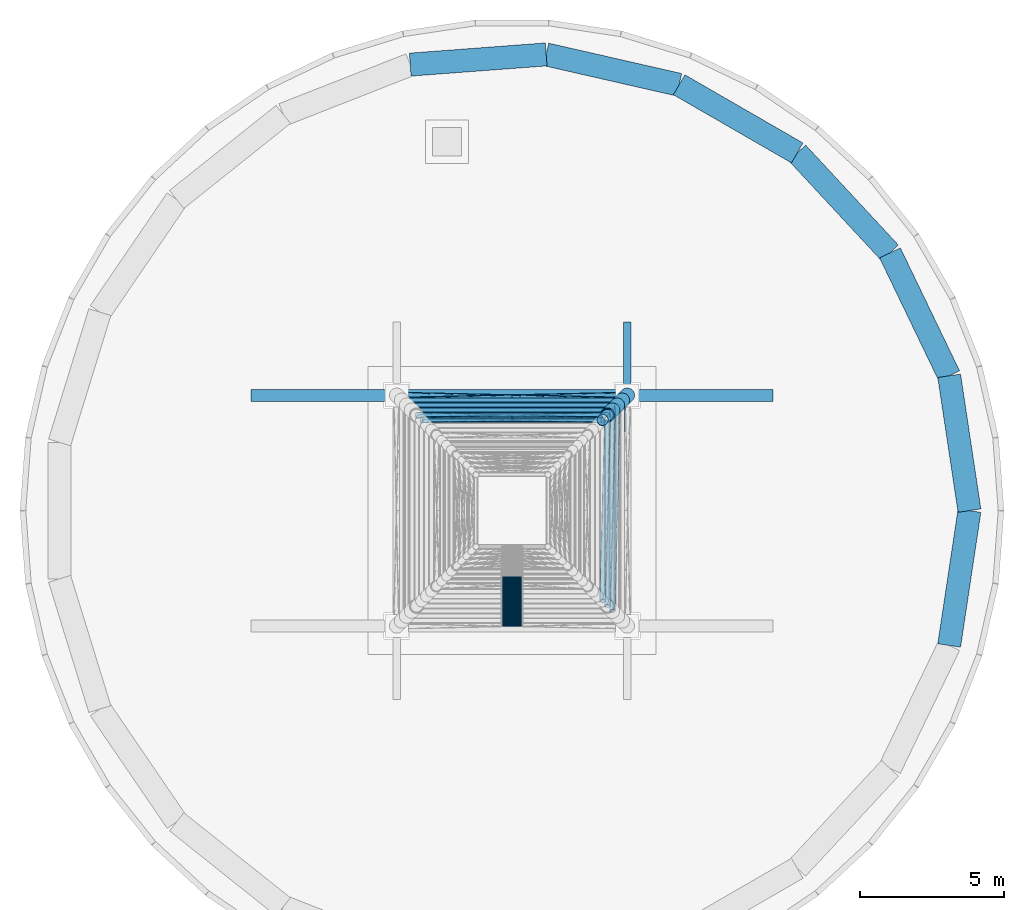
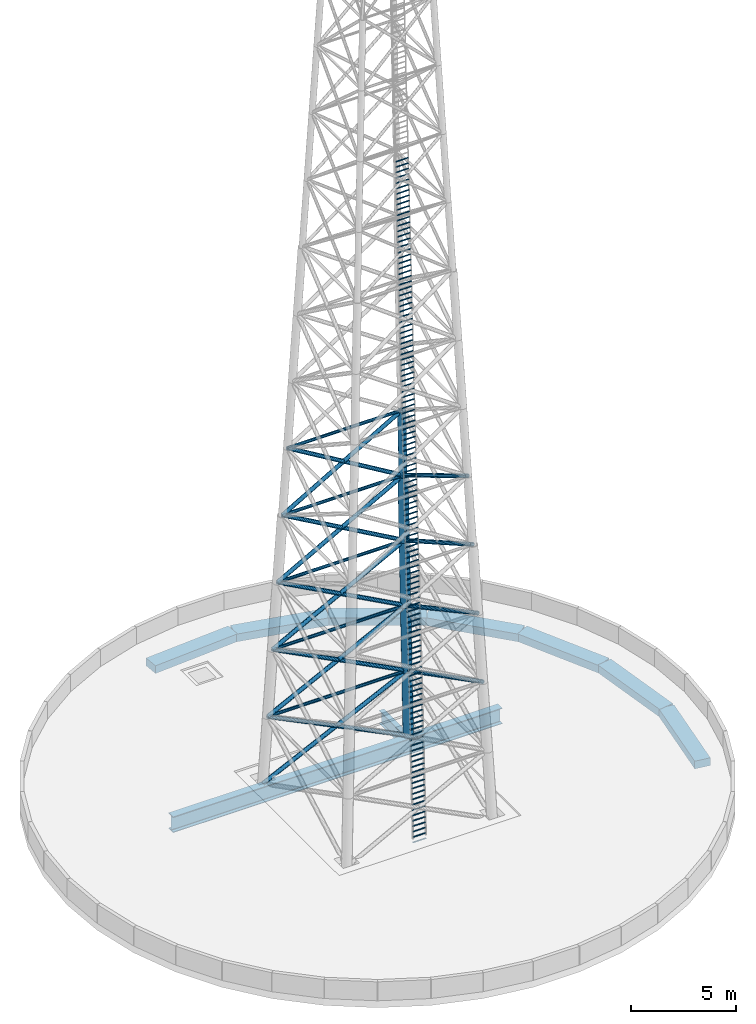
# One storey, part 6 of 9: 152 members, 9 beams.
"""IFC4 building model written with IfcOpenShell, lengths in metres."""

from ifc_helpers import new_model, si_unit, direction, frame, origin, origin_2d, place, context, subcontext, project, spatial, rectangle, hollow_circle, i_section, extrude, material, material_profile, profile_set, type_object, element, save


model = new_model("IFC4")

# Units and contexts
model_context = context("Model", 3, precision=1e-05, world=origin(), true_north=direction((0.0, 1.0)))
body_context = subcontext(model_context, "Body", "Model", "MODEL_VIEW")
ifc_project = project(units=[si_unit("LENGTHUNIT", "METRE"), si_unit("AREAUNIT", "SQUARE_METRE"), si_unit("VOLUMEUNIT", "CUBIC_METRE"), si_unit("PLANEANGLEUNIT", "RADIAN"), si_unit("MASSUNIT", "GRAM", prefix="KILO")], contexts=[model_context])

# Site, building, storey
site_placement = place(None, origin())
site = spatial("IfcSite", under=ifc_project, at=site_placement, CompositionType="ELEMENT")
building_placement = place(site_placement, origin())
building = spatial("IfcBuilding", under=site, at=building_placement, Name="Tracery Tower", CompositionType="ELEMENT")
storey_placement = place(building_placement, frame((0.0, 0.0, 364.199951171875)))
storey = spatial("IfcBuildingStorey", under=building, at=storey_placement, Name="Roof", CompositionType="ELEMENT", Elevation=364.199951171875)

# Members
ifc_material_1 = material(Name="Steel S355", Category="steel")
ifc_material_profile_1 = material_profile(ifc_material_1, hollow_circle(Radius=0.109619140625, WallThickness=0.010009765625, at=origin_2d()), Name="CHS 219.1x10")
ifc_profile_set_1 = profile_set([ifc_material_profile_1], Name="Steel S355")
member_type_1 = type_object("IfcMemberType", Name="Mast diagonal MAST CHS 219.1x10", PredefinedType="BRACE", material=ifc_profile_set_1)
for number, where, z_axis, x_axis, name in (
    (1, (4.0, 4.0, -0.349853515625), (-0.892847479676, -0.019603437678, 0.44993230965), (0.021950797554, -0.999759052215, 0.0), "Mast north face diagonal 1a"),
    (2, (-4.0, 4.0, -0.349853515625), (0.892847479676, -0.019603437678, 0.44993230965), (0.021950797554, 0.999759052215, 0.0), "Mast north face diagonal 1b"),
):
    element("IfcMember", number, at=place(storey_placement, frame(where, z_axis=z_axis, x_axis=x_axis)), inside=storey, type_object=member_type_1, Name=name, PredefinedType="BRACE", context=body_context, shape_type="SweptSolid", body=[
        extrude(hollow_circle(Radius=0.109619140625, WallThickness=0.010009765625, at=origin_2d()), origin(), (0.0, 0.0, 1.0), 8.767578125),
    ])
for number, where, z_axis, x_axis, name in (
    (3, (3.828125, 3.828125, 3.594970703125), (-0.020310891396, -0.884446998079, 0.466198429083), (0.999736419902, -0.022958456407, 0.0), "Mast east face diagonal 2b"),
    (4, (3.828125, 3.828125, 3.594970703125), (-0.884446998079, -0.020310891396, 0.466198429083), (0.022958456407, -0.999736419902, 0.0), "Mast north face diagonal 2a"),
    (5, (-3.828125, 3.828125, 3.594970703125), (0.884446998079, -0.020310891396, 0.466198429083), (0.022958456407, 0.999736419902, 0.0), "Mast north face diagonal 2b"),
):
    element("IfcMember", number, at=place(storey_placement, frame(where, z_axis=z_axis, x_axis=x_axis)), inside=storey, type_object=member_type_1, Name=name, PredefinedType="BRACE", context=body_context, shape_type="SweptSolid", body=[
        extrude(hollow_circle(Radius=0.109619140625, WallThickness=0.010009765625, at=origin_2d()), origin(), (0.0, 0.0, 1.0), 8.462158203125),
    ])
for number, where, z_axis, x_axis, name in (
    (6, (3.65625, 3.65625, 7.5400390625), (-0.02106374057, -0.875102676395, 0.483478670263), (0.999710442837, -0.024063052235, 0.0), "Mast east face diagonal 3b"),
    (7, (3.65625, 3.65625, 7.5400390625), (-0.875102676395, -0.02106374057, 0.483478670263), (0.024063052235, -0.999710442837, 0.0), "Mast north face diagonal 3a"),
    (8, (-3.65625, 3.65625, 7.5400390625), (0.875102676395, -0.02106374057, 0.483478670263), (0.024063052235, 0.999710442837, 0.0), "Mast north face diagonal 3b"),
):
    element("IfcMember", number, at=place(storey_placement, frame(where, z_axis=z_axis, x_axis=x_axis)), inside=storey, type_object=member_type_1, Name=name, PredefinedType="BRACE", context=body_context, shape_type="SweptSolid", body=[
        extrude(hollow_circle(Radius=0.109619140625, WallThickness=0.010009765625, at=origin_2d()), origin(), (0.0, 0.0, 1.0), 8.15966796875),
    ])
for number, where, z_axis, x_axis, name in (
    (9, (3.484375, 3.484375, 11.485107421875), (-0.021865440004, -0.864678763798, 0.50184911873), (0.99968042806, -0.025279275192, 0.0), "Mast east face diagonal 4b"),
    (10, (3.484375, 3.484375, 11.485107421875), (-0.864678763798, -0.021865440004, 0.50184911873), (0.025279275192, -0.99968042806, 0.0), "Mast north face diagonal 4a"),
    (11, (-3.484375, 3.484375, 11.485107421875), (0.864678763798, -0.021865440004, 0.50184911873), (0.025279275192, 0.99968042806, 0.0), "Mast north face diagonal 4b"),
):
    element("IfcMember", number, at=place(storey_placement, frame(where, z_axis=z_axis, x_axis=x_axis)), inside=storey, type_object=member_type_1, Name=name, PredefinedType="BRACE", context=body_context, shape_type="SweptSolid", body=[
        extrude(hollow_circle(Radius=0.109619140625, WallThickness=0.010009765625, at=origin_2d()), origin(), (0.0, 0.0, 1.0), 7.860595703125),
    ])
for number, where, z_axis, x_axis, name in (
    (12, (3.3125, 3.3125, 15.429931640625), (-0.022718431719, -0.85297384544, 0.521459003044), (0.999645493434, -0.026624940503, 0.0), "Mast east face diagonal 5b"),
    (13, (3.3125, 3.3125, 15.429931640625), (-0.85297384544, -0.022718431719, 0.521459003044), (0.026624940503, -0.999645493434, 0.0), "Mast north face diagonal 5a"),
    (14, (-3.3125, 3.3125, 15.429931640625), (0.85297384544, -0.022718431719, 0.521459003044), (0.026624940503, 0.999645493434, 0.0), "Mast north face diagonal 5b"),
):
    element("IfcMember", number, at=place(storey_placement, frame(where, z_axis=z_axis, x_axis=x_axis)), inside=storey, type_object=member_type_1, Name=name, PredefinedType="BRACE", context=body_context, shape_type="SweptSolid", body=[
        extrude(hollow_circle(Radius=0.109619140625, WallThickness=0.010009765625, at=origin_2d()), origin(), (0.0, 0.0, 1.0), 7.5654296875),
    ])

# Beams
ifc_material_2 = material(Name="Steel S355", Category="steel")
ifc_material_profile_2 = material_profile(ifc_material_2, i_section(OverallWidth=0.26513671875, OverallDepth=0.75390625, WebThickness=0.0126953125, FlangeThickness=0.017578125, FilletRadius=0.0166015625, at=origin_2d()), Name="UKB 762x267x147")
ifc_profile_set_2 = profile_set([ifc_material_profile_2], Name="Steel S355")
beam_type_1 = type_object("IfcBeamType", Name="Mast grillage cross girder MAST UKB 762x267x147", PredefinedType="BEAM", material=ifc_profile_set_2)
beam_1_placement = place(storey_placement, frame((4.0, 4.160400390625, -0.77685546875), z_axis=(0.0, 1.0, 0.0), x_axis=(-1.0, 0.0, 0.0)))
element("IfcBeam", 15, at=beam_1_placement, inside=storey, type_object=beam_type_1, Name="Mast grillage cross girder 2.3", PredefinedType="BEAM", context=body_context, shape_type="SweptSolid", body=[
    extrude(i_section(OverallWidth=0.26513671875, OverallDepth=0.75390625, WebThickness=0.0126953125, FlangeThickness=0.017578125, FilletRadius=0.0166015625, at=origin_2d()), origin(), (0.0, 0.0, 1.0), 2.3896484375),
])
ifc_material_3 = material(Name="Steel S355", Category="steel")
ifc_material_profile_3 = material_profile(ifc_material_3, i_section(OverallWidth=0.42041015625, OverallDepth=0.9208984375, WebThickness=0.021484375, FlangeThickness=0.03662109375, FilletRadius=0.024169921875, at=origin_2d()), Name="UKB 914x419x388")
ifc_profile_set_3 = profile_set([ifc_material_profile_3], Name="Steel S355")
beam_type_2 = type_object("IfcBeamType", Name="Mast grillage girder MAST UKB 914x419x388", PredefinedType="BEAM", material=ifc_profile_set_3)
beam_2_placement = place(storey_placement, frame((-9.050048828125, 4.0, -0.8603515625), z_axis=(1.0, 0.0, 0.0), x_axis=(0.0, 1.0, 0.0)))
element("IfcBeam", 16, at=beam_2_placement, inside=storey, type_object=beam_type_2, Name="Mast grillage girder 2", PredefinedType="BEAM", context=body_context, shape_type="SweptSolid", body=[
    extrude(i_section(OverallWidth=0.42041015625, OverallDepth=0.9208984375, WebThickness=0.021484375, FlangeThickness=0.03662109375, FilletRadius=0.024169921875, at=origin_2d()), origin(), (0.0, 0.0, 1.0), 18.10009765625),
])

# Members
ifc_material_4 = material(Name="Steel S355", Category="steel")
ifc_material_profile_4 = material_profile(ifc_material_4, hollow_circle(Radius=0.024169921875, WallThickness=0.00390625, at=origin_2d()), Name="CHS 48.3x4")
ifc_profile_set_4 = profile_set([ifc_material_profile_4], Name="Steel S355")
member_type_2 = type_object("IfcMemberType", Name="Mast ladder rung MAST CHS 48.3x4", PredefinedType="MEMBER", material=ifc_profile_set_4)
for number, where, z_axis, x_axis, name in (
    (17, (-0.35009765625, -3.993408203125, -0.1982421875), (1.0, 0.0, 0.0), (0.0, 1.0, 0.0), "Mast service ladder rung 1"),
    (18, (-0.35009765625, -3.980224609375, 0.105224609375), (1.0, 0.0, 0.0), (0.0, 1.0, 0.0), "Mast service ladder rung 2"),
    (19, (-0.35009765625, -3.966796875, 0.40869140625), (1.0, 0.0, 0.0), (0.0, 1.0, 0.0), "Mast service ladder rung 3"),
    (20, (-0.35009765625, -3.95361328125, 0.712158203125), (1.0, 0.0, 0.0), (0.0, 1.0, 0.0), "Mast service ladder rung 4"),
    (21, (-0.35009765625, -3.9404296875, 1.015625), (1.0, 0.0, 0.0), (0.0, 1.0, 0.0), "Mast service ladder rung 5"),
    (22, (-0.35009765625, -3.92724609375, 1.319091796875), (1.0, 0.0, 0.0), (0.0, 1.0, 0.0), "Mast service ladder rung 6"),
    (23, (-0.35009765625, -3.9140625, 1.62255859375), (1.0, 0.0, 0.0), (0.0, 1.0, 0.0), "Mast service ladder rung 7"),
    (24, (-0.35009765625, -3.90087890625, 1.926025390625), (1.0, 0.0, 0.0), (0.0, 1.0, 0.0), "Mast service ladder rung 8"),
    (25, (-0.35009765625, -3.8876953125, 2.2294921875), (1.0, 0.0, 0.0), (0.0, 1.0, 0.0), "Mast service ladder rung 9"),
    (26, (-0.35009765625, -3.87451171875, 2.532958984375), (1.0, 0.0, 0.0), (0.0, 1.0, 0.0), "Mast service ladder rung 10"),
    (27, (-0.35009765625, -3.861083984375, 2.83642578125), (1.0, 0.0, 0.0), (0.0, 1.0, 0.0), "Mast service ladder rung 11"),
    (28, (-0.35009765625, -3.847900390625, 3.139892578125), (1.0, 0.0, 0.0), (0.0, 1.0, 0.0), "Mast service ladder rung 12"),
    (29, (-0.35009765625, -3.834716796875, 3.443359375), (1.0, 0.0, 0.0), (0.0, 1.0, 0.0), "Mast service ladder rung 13"),
    (30, (-0.35009765625, -3.821533203125, 3.746826171875), (1.0, 0.0, 0.0), (0.0, 1.0, 0.0), "Mast service ladder rung 14"),
    (31, (-0.35009765625, -3.808349609375, 4.05029296875), (1.0, 0.0, 0.0), (0.0, 1.0, 0.0), "Mast service ladder rung 15"),
    (32, (-0.35009765625, -3.795166015625, 4.353759765625), (1.0, 0.0, 0.0), (0.0, 1.0, 0.0), "Mast service ladder rung 16"),
    (33, (-0.35009765625, -3.781982421875, 4.6572265625), (1.0, 0.0, 0.0), (0.0, 1.0, 0.0), "Mast service ladder rung 17"),
    (34, (-0.35009765625, -3.7685546875, 4.960693359375), (1.0, 0.0, 0.0), (0.0, 1.0, 0.0), "Mast service ladder rung 18"),
    (35, (-0.35009765625, -3.75537109375, 5.26416015625), (1.0, 0.0, 0.0), (0.0, 1.0, 0.0), "Mast service ladder rung 19"),
    (36, (-0.35009765625, -3.7421875, 5.567626953125), (1.0, 0.0, 0.0), (0.0, 1.0, 0.0), "Mast service ladder rung 20"),
    (37, (-0.35009765625, -3.72900390625, 5.87109375), (1.0, 0.0, 0.0), (0.0, 1.0, 0.0), "Mast service ladder rung 21"),
    (38, (-0.35009765625, -3.7158203125, 6.174560546875), (1.0, 0.0, 0.0), (0.0, 1.0, 0.0), "Mast service ladder rung 22"),
    (39, (-0.35009765625, -3.702392578125, 6.47802734375), (1.0, 0.0, 0.0), (0.0, 1.0, 0.0), "Mast service ladder rung 23"),
    (40, (-0.35009765625, -3.689208984375, 6.781494140625), (1.0, 0.0, 0.0), (0.0, 1.0, 0.0), "Mast service ladder rung 24"),
    (41, (-0.35009765625, -3.676025390625, 7.0849609375), (1.0, 0.0, 0.0), (0.0, 1.0, 0.0), "Mast service ladder rung 25"),
    (42, (-0.35009765625, -3.662841796875, 7.388427734375), (1.0, 0.0, 0.0), (0.0, 1.0, 0.0), "Mast service ladder rung 26"),
    (43, (-0.35009765625, -3.649658203125, 7.691650390625), (1.0, 0.0, 0.0), (0.0, 1.0, 0.0), "Mast service ladder rung 27"),
    (44, (-0.35009765625, -3.636474609375, 7.995361328125), (1.0, 0.0, 0.0), (0.0, 1.0, 0.0), "Mast service ladder rung 28"),
    (45, (-0.35009765625, -3.623291015625, 8.298828125), (1.0, 0.0, 0.0), (0.0, 1.0, 0.0), "Mast service ladder rung 29"),
    (46, (-0.35009765625, -3.610107421875, 8.60205078125), (1.0, 0.0, 0.0), (0.0, 1.0, 0.0), "Mast service ladder rung 30"),
    (47, (-0.35009765625, -3.5966796875, 8.90576171875), (1.0, 0.0, 0.0), (0.0, 1.0, 0.0), "Mast service ladder rung 31"),
    (48, (-0.35009765625, -3.58349609375, 9.209228515625), (1.0, 0.0, 0.0), (0.0, 1.0, 0.0), "Mast service ladder rung 32"),
    (49, (-0.35009765625, -3.5703125, 9.512451171875), (1.0, 0.0, 0.0), (0.0, 1.0, 0.0), "Mast service ladder rung 33"),
    (50, (-0.35009765625, -3.55712890625, 9.816162109375), (1.0, 0.0, 0.0), (0.0, 1.0, 0.0), "Mast service ladder rung 34"),
    (51, (-0.35009765625, -3.5439453125, 10.119384765625), (1.0, 0.0, 0.0), (0.0, 1.0, 0.0), "Mast service ladder rung 35"),
    (52, (-0.35009765625, -3.530517578125, 10.4228515625), (1.0, 0.0, 0.0), (0.0, 1.0, 0.0), "Mast service ladder rung 36"),
    (53, (-0.35009765625, -3.517333984375, 10.7265625), (1.0, 0.0, 0.0), (0.0, 1.0, 0.0), "Mast service ladder rung 37"),
    (54, (-0.35009765625, -3.504150390625, 11.02978515625), (1.0, 0.0, 0.0), (0.0, 1.0, 0.0), "Mast service ladder rung 38"),
    (55, (-0.35009765625, -3.490966796875, 11.333251953125), (1.0, 0.0, 0.0), (0.0, 1.0, 0.0), "Mast service ladder rung 39"),
    (56, (-0.35009765625, -3.477783203125, 11.636962890625), (1.0, 0.0, 0.0), (0.0, 1.0, 0.0), "Mast service ladder rung 40"),
    (57, (-0.35009765625, -3.464599609375, 11.940185546875), (1.0, 0.0, 0.0), (0.0, 1.0, 0.0), "Mast service ladder rung 41"),
    (58, (-0.35009765625, -3.451416015625, 12.24365234375), (1.0, 0.0, 0.0), (0.0, 1.0, 0.0), "Mast service ladder rung 42"),
    (59, (-0.35009765625, -3.43798828125, 12.547119140625), (1.0, 0.0, 0.0), (0.0, 1.0, 0.0), "Mast service ladder rung 43"),
    (60, (-0.35009765625, -3.4248046875, 12.8505859375), (1.0, 0.0, 0.0), (0.0, 1.0, 0.0), "Mast service ladder rung 44"),
    (61, (-0.35009765625, -3.41162109375, 13.154052734375), (1.0, 0.0, 0.0), (0.0, 1.0, 0.0), "Mast service ladder rung 45"),
    (62, (-0.35009765625, -3.3984375, 13.45751953125), (1.0, 0.0, 0.0), (0.0, 1.0, 0.0), "Mast service ladder rung 46"),
    (63, (-0.35009765625, -3.38525390625, 13.760986328125), (1.0, 0.0, 0.0), (0.0, 1.0, 0.0), "Mast service ladder rung 47"),
    (64, (-0.35009765625, -3.3720703125, 14.064453125), (1.0, 0.0, 0.0), (0.0, 1.0, 0.0), "Mast service ladder rung 48"),
    (65, (-0.35009765625, -3.35888671875, 14.367919921875), (1.0, 0.0, 0.0), (0.0, 1.0, 0.0), "Mast service ladder rung 49"),
    (66, (-0.35009765625, -3.345703125, 14.67138671875), (1.0, 0.0, 0.0), (0.0, 1.0, 0.0), "Mast service ladder rung 50"),
    (67, (-0.35009765625, -3.332275390625, 14.974853515625), (1.0, 0.0, 0.0), (0.0, 1.0, 0.0), "Mast service ladder rung 51"),
    (68, (-0.35009765625, -3.319091796875, 15.2783203125), (1.0, 0.0, 0.0), (0.0, 1.0, 0.0), "Mast service ladder rung 52"),
    (69, (-0.35009765625, -3.305908203125, 15.581787109375), (1.0, 0.0, 0.0), (0.0, 1.0, 0.0), "Mast service ladder rung 53"),
    (70, (-0.35009765625, -3.292724609375, 15.88525390625), (1.0, 0.0, 0.0), (0.0, 1.0, 0.0), "Mast service ladder rung 54"),
    (71, (-0.35009765625, -3.279296875, 16.188720703125), (1.0, 0.0, 0.0), (0.0, 1.0, 0.0), "Mast service ladder rung 55"),
    (72, (-0.35009765625, -3.26611328125, 16.4921875), (1.0, 0.0, 0.0), (0.0, 1.0, 0.0), "Mast service ladder rung 56"),
    (73, (-0.35009765625, -3.2529296875, 16.795654296875), (1.0, 0.0, 0.0), (0.0, 1.0, 0.0), "Mast service ladder rung 57"),
    (74, (-0.35009765625, -3.23974609375, 17.09912109375), (1.0, 0.0, 0.0), (0.0, 1.0, 0.0), "Mast service ladder rung 58"),
    (75, (-0.35009765625, -3.2265625, 17.402587890625), (1.0, 0.0, 0.0), (0.0, 1.0, 0.0), "Mast service ladder rung 59"),
    (76, (-0.35009765625, -3.21337890625, 17.7060546875), (1.0, 0.0, 0.0), (0.0, 1.0, 0.0), "Mast service ladder rung 60"),
    (77, (-0.35009765625, -3.2001953125, 18.009521484375), (1.0, 0.0, 0.0), (0.0, 1.0, 0.0), "Mast service ladder rung 61"),
    (78, (-0.35009765625, -3.18701171875, 18.31298828125), (1.0, 0.0, 0.0), (0.0, 1.0, 0.0), "Mast service ladder rung 62"),
    (79, (-0.35009765625, -3.173583984375, 18.616455078125), (1.0, 0.0, 0.0), (0.0, 1.0, 0.0), "Mast service ladder rung 63"),
    (80, (-0.35009765625, -3.160400390625, 18.919921875), (1.0, 0.0, 0.0), (0.0, 1.0, 0.0), "Mast service ladder rung 64"),
    (81, (-0.35009765625, -3.147216796875, 19.223388671875), (1.0, 0.0, 0.0), (0.0, 1.0, 0.0), "Mast service ladder rung 65"),
    (82, (-0.35009765625, -3.134033203125, 19.52685546875), (1.0, 0.0, 0.0), (0.0, 1.0, 0.0), "Mast service ladder rung 66"),
    (83, (-0.35009765625, -3.120849609375, 19.830322265625), (1.0, 0.0, 0.0), (0.0, 1.0, 0.0), "Mast service ladder rung 67"),
    (84, (-0.35009765625, -3.107666015625, 20.1337890625), (1.0, 0.0, 0.0), (0.0, 1.0, 0.0), "Mast service ladder rung 68"),
    (85, (-0.35009765625, -3.094482421875, 20.437255859375), (1.0, 0.0, 0.0), (0.0, 1.0, 0.0), "Mast service ladder rung 69"),
    (86, (-0.35009765625, -3.0810546875, 20.74072265625), (1.0, 0.0, 0.0), (0.0, 1.0, 0.0), "Mast service ladder rung 70"),
    (87, (-0.35009765625, -3.06787109375, 21.044189453125), (1.0, 0.0, 0.0), (0.0, 1.0, 0.0), "Mast service ladder rung 71"),
    (88, (-0.35009765625, -3.0546875, 21.34765625), (1.0, 0.0, 0.0), (0.0, 1.0, 0.0), "Mast service ladder rung 72"),
    (89, (-0.35009765625, -3.04150390625, 21.651123046875), (1.0, 0.0, 0.0), (0.0, 1.0, 0.0), "Mast service ladder rung 73"),
    (90, (-0.35009765625, -3.0283203125, 21.95458984375), (1.0, 0.0, 0.0), (0.0, 1.0, 0.0), "Mast service ladder rung 74"),
    (91, (-0.35009765625, -3.014892578125, 22.258056640625), (1.0, 0.0, 0.0), (0.0, 1.0, 0.0), "Mast service ladder rung 75"),
    (92, (-0.35009765625, -3.001708984375, 22.5615234375), (1.0, 0.0, 0.0), (0.0, 1.0, 0.0), "Mast service ladder rung 76"),
    (93, (-0.35009765625, -2.988525390625, 22.864990234375), (1.0, 0.0, 0.0), (0.0, 1.0, 0.0), "Mast service ladder rung 77"),
    (94, (-0.35009765625, -2.975341796875, 23.16845703125), (1.0, 0.0, 0.0), (0.0, 1.0, 0.0), "Mast service ladder rung 78"),
    (95, (-0.35009765625, -2.962158203125, 23.471923828125), (1.0, 0.0, 0.0), (0.0, 1.0, 0.0), "Mast service ladder rung 79"),
    (96, (-0.35009765625, -2.948974609375, 23.775146484375), (1.0, 0.0, 0.0), (0.0, 1.0, 0.0), "Mast service ladder rung 80"),
    (97, (-0.35009765625, -2.935791015625, 24.078857421875), (1.0, 0.0, 0.0), (0.0, 1.0, 0.0), "Mast service ladder rung 81"),
    (98, (-0.35009765625, -2.922607421875, 24.38232421875), (1.0, 0.0, 0.0), (0.0, 1.0, 0.0), "Mast service ladder rung 82"),
    (99, (-0.35009765625, -2.9091796875, 24.685546875), (1.0, 0.0, 0.0), (0.0, 1.0, 0.0), "Mast service ladder rung 83"),
    (100, (-0.35009765625, -2.89599609375, 24.9892578125), (1.0, 0.0, 0.0), (0.0, 1.0, 0.0), "Mast service ladder rung 84"),
    (101, (-0.35009765625, -2.8828125, 25.292724609375), (1.0, 0.0, 0.0), (0.0, 1.0, 0.0), "Mast service ladder rung 85"),
    (102, (-0.35009765625, -2.86962890625, 25.595947265625), (1.0, 0.0, 0.0), (0.0, 1.0, 0.0), "Mast service ladder rung 86"),
    (103, (-0.35009765625, -2.8564453125, 25.899658203125), (1.0, 0.0, 0.0), (0.0, 1.0, 0.0), "Mast service ladder rung 87"),
    (104, (-0.35009765625, -2.843017578125, 26.202880859375), (1.0, 0.0, 0.0), (0.0, 1.0, 0.0), "Mast service ladder rung 88"),
    (105, (-0.35009765625, -2.829833984375, 26.50634765625), (1.0, 0.0, 0.0), (0.0, 1.0, 0.0), "Mast service ladder rung 89"),
    (106, (-0.35009765625, -2.816650390625, 26.81005859375), (1.0, 0.0, 0.0), (0.0, 1.0, 0.0), "Mast service ladder rung 90"),
    (107, (-0.35009765625, -2.803466796875, 27.11328125), (1.0, 0.0, 0.0), (0.0, 1.0, 0.0), "Mast service ladder rung 91"),
    (108, (-0.35009765625, -2.790283203125, 27.416748046875), (1.0, 0.0, 0.0), (0.0, 1.0, 0.0), "Mast service ladder rung 92"),
    (109, (-0.35009765625, -2.777099609375, 27.720458984375), (1.0, 0.0, 0.0), (0.0, 1.0, 0.0), "Mast service ladder rung 93"),
    (110, (-0.35009765625, -2.763916015625, 28.023681640625), (1.0, 0.0, 0.0), (0.0, 1.0, 0.0), "Mast service ladder rung 94"),
    (111, (-0.35009765625, -2.75048828125, 28.3271484375), (1.0, 0.0, 0.0), (0.0, 1.0, 0.0), "Mast service ladder rung 95"),
    (112, (-0.35009765625, -2.7373046875, 28.630615234375), (1.0, 0.0, 0.0), (0.0, 1.0, 0.0), "Mast service ladder rung 96"),
    (113, (-0.35009765625, -2.72412109375, 28.93408203125), (1.0, 0.0, 0.0), (0.0, 1.0, 0.0), "Mast service ladder rung 97"),
    (114, (-0.35009765625, -2.7109375, 29.237548828125), (1.0, 0.0, 0.0), (0.0, 1.0, 0.0), "Mast service ladder rung 98"),
    (115, (-0.35009765625, -2.69775390625, 29.541015625), (1.0, 0.0, 0.0), (0.0, 1.0, 0.0), "Mast service ladder rung 99"),
    (116, (-0.35009765625, -2.6845703125, 29.844482421875), (1.0, 0.0, 0.0), (0.0, 1.0, 0.0), "Mast service ladder rung 100"),
    (117, (-0.35009765625, -2.67138671875, 30.14794921875), (1.0, 0.0, 0.0), (0.0, 1.0, 0.0), "Mast service ladder rung 101"),
    (118, (-0.35009765625, -2.658203125, 30.451416015625), (1.0, 0.0, 0.0), (0.0, 1.0, 0.0), "Mast service ladder rung 102"),
    (119, (-0.35009765625, -2.644775390625, 30.7548828125), (1.0, 0.0, 0.0), (0.0, 1.0, 0.0), "Mast service ladder rung 103"),
    (120, (-0.35009765625, -2.631591796875, 31.058349609375), (1.0, 0.0, 0.0), (0.0, 1.0, 0.0), "Mast service ladder rung 104"),
    (121, (-0.35009765625, -2.618408203125, 31.36181640625), (1.0, 0.0, 0.0), (0.0, 1.0, 0.0), "Mast service ladder rung 105"),
    (122, (-0.35009765625, -2.605224609375, 31.665283203125), (1.0, 0.0, 0.0), (0.0, 1.0, 0.0), "Mast service ladder rung 106"),
    (123, (-0.35009765625, -2.591796875, 31.96875), (1.0, 0.0, 0.0), (0.0, 1.0, 0.0), "Mast service ladder rung 107"),
    (124, (-0.35009765625, -2.57861328125, 32.272216796875), (1.0, 0.0, 0.0), (0.0, 1.0, 0.0), "Mast service ladder rung 108"),
    (125, (-0.35009765625, -2.5654296875, 32.57568359375), (1.0, 0.0, 0.0), (0.0, 1.0, 0.0), "Mast service ladder rung 109"),
    (126, (-0.35009765625, -2.55224609375, 32.879150390625), (1.0, 0.0, 0.0), (0.0, 1.0, 0.0), "Mast service ladder rung 110"),
    (127, (-0.35009765625, -2.5390625, 33.1826171875), (1.0, 0.0, 0.0), (0.0, 1.0, 0.0), "Mast service ladder rung 111"),
    (128, (-0.35009765625, -2.52587890625, 33.486083984375), (1.0, 0.0, 0.0), (0.0, 1.0, 0.0), "Mast service ladder rung 112"),
    (129, (-0.35009765625, -2.5126953125, 33.78955078125), (1.0, 0.0, 0.0), (0.0, 1.0, 0.0), "Mast service ladder rung 113"),
    (130, (-0.35009765625, -2.49951171875, 34.093017578125), (1.0, 0.0, 0.0), (0.0, 1.0, 0.0), "Mast service ladder rung 114"),
    (131, (-0.35009765625, -2.486083984375, 34.396484375), (1.0, 0.0, 0.0), (0.0, 1.0, 0.0), "Mast service ladder rung 115"),
    (132, (-0.35009765625, -2.472900390625, 34.699951171875), (1.0, 0.0, 0.0), (0.0, 1.0, 0.0), "Mast service ladder rung 116"),
    (133, (-0.35009765625, -2.459716796875, 35.00341796875), (1.0, 0.0, 0.0), (0.0, 1.0, 0.0), "Mast service ladder rung 117"),
    (134, (-0.35009765625, -2.446533203125, 35.306884765625), (1.0, 0.0, 0.0), (0.0, 1.0, 0.0), "Mast service ladder rung 118"),
    (135, (-0.35009765625, -2.433349609375, 35.6103515625), (1.0, 0.0, 0.0), (0.0, 1.0, 0.0), "Mast service ladder rung 119"),
    (136, (-0.35009765625, -2.420166015625, 35.913818359375), (1.0, 0.0, 0.0), (0.0, 1.0, 0.0), "Mast service ladder rung 120"),
    (137, (-0.35009765625, -2.406982421875, 36.21728515625), (1.0, 0.0, 0.0), (0.0, 1.0, 0.0), "Mast service ladder rung 121"),
    (138, (-0.35009765625, -2.3935546875, 36.520751953125), (1.0, 0.0, 0.0), (0.0, 1.0, 0.0), "Mast service ladder rung 122"),
    (139, (-0.35009765625, -2.38037109375, 36.82421875), (1.0, 0.0, 0.0), (0.0, 1.0, 0.0), "Mast service ladder rung 123"),
    (140, (-0.35009765625, -2.3671875, 37.127685546875), (1.0, 0.0, 0.0), (0.0, 1.0, 0.0), "Mast service ladder rung 124"),
    (141, (-0.35009765625, -2.35400390625, 37.43115234375), (1.0, 0.0, 0.0), (0.0, 1.0, 0.0), "Mast service ladder rung 125"),
    (142, (-0.35009765625, -2.3408203125, 37.734619140625), (1.0, 0.0, 0.0), (0.0, 1.0, 0.0), "Mast service ladder rung 126"),
    (143, (-0.35009765625, -2.327392578125, 38.0380859375), (1.0, 0.0, 0.0), (0.0, 1.0, 0.0), "Mast service ladder rung 127"),
    (144, (-0.35009765625, -2.314208984375, 38.341552734375), (1.0, 0.0, 0.0), (0.0, 1.0, 0.0), "Mast service ladder rung 128"),
):
    element("IfcMember", number, at=place(storey_placement, frame(where, z_axis=z_axis, x_axis=x_axis)), inside=storey, type_object=member_type_2, Name=name, PredefinedType="MEMBER", context=body_context, shape_type="SweptSolid", body=[
        extrude(hollow_circle(Radius=0.024169921875, WallThickness=0.00390625, at=origin_2d()), origin(), (0.0, 0.0, 1.0), 0.7001953125),
    ])
ifc_material_5 = material(Name="Steel S355", Category="steel")
ifc_material_profile_5 = material_profile(ifc_material_5, hollow_circle(Radius=0.203125, WallThickness=0.02001953125, at=origin_2d()), Name="CHS 406.4x20")
ifc_profile_set_5 = profile_set([ifc_material_profile_5], Name="Steel S355")
member_type_3 = type_object("IfcMemberType", Name="Mast leg MAST CHS 406.4x20", PredefinedType="CHORD", material=ifc_profile_set_5)
member_1_placement = place(storey_placement, frame((3.3125, 3.3125, 15.429931640625), z_axis=(-0.043484593013, -0.043484593013, 0.998107299012), x_axis=(0.707106781187, -0.707106781187, 0.0)))
element("IfcMember", 145, at=member_1_placement, inside=storey, type_object=member_type_3, Name="Mast leg 3 panel 5", PredefinedType="CHORD", context=body_context, shape_type="SweptSolid", body=[
    extrude(hollow_circle(Radius=0.203125, WallThickness=0.02001953125, at=origin_2d()), origin(), (0.0, 0.0, 1.0), 3.95263671875),
])
ifc_material_6 = material(Name="Steel S355", Category="steel")
ifc_material_profile_6 = material_profile(ifc_material_6, hollow_circle(Radius=0.25390625, WallThickness=0.02490234375, at=origin_2d()), Name="CHS 508x25")
ifc_profile_set_6 = profile_set([ifc_material_profile_6], Name="Steel S355")
member_type_4 = type_object("IfcMemberType", Name="Mast leg MAST CHS 508x25", PredefinedType="CHORD", material=ifc_profile_set_6)
member_2_placement = place(storey_placement, frame((4.0, 4.0, -0.349853515625), z_axis=(-0.043487274046, -0.043487274046, 0.998107065395), x_axis=(0.707106781187, -0.707106781187, 0.0)))
element("IfcMember", 146, at=member_2_placement, inside=storey, type_object=member_type_4, Name="Mast leg 3 panel 1", PredefinedType="CHORD", context=body_context, shape_type="SweptSolid", body=[
    extrude(hollow_circle(Radius=0.25390625, WallThickness=0.02490234375, at=origin_2d()), origin(), (0.0, 0.0, 1.0), 3.952392578125),
])
for number, where, z_axis, x_axis, name in (
    (147, (3.828125, 3.828125, 3.594970703125), (-0.043484593013, -0.043484593013, 0.998107299012), (0.707106781187, -0.707106781187, 0.0), "Mast leg 3 panel 2"),
    (148, (3.65625, 3.65625, 7.5400390625), (-0.043484593013, -0.043484593013, 0.998107299012), (0.707106781187, -0.707106781187, 0.0), "Mast leg 3 panel 3"),
):
    element("IfcMember", number, at=place(storey_placement, frame(where, z_axis=z_axis, x_axis=x_axis)), inside=storey, type_object=member_type_4, Name=name, PredefinedType="CHORD", context=body_context, shape_type="SweptSolid", body=[
        extrude(hollow_circle(Radius=0.25390625, WallThickness=0.02490234375, at=origin_2d()), origin(), (0.0, 0.0, 1.0), 3.95263671875),
    ])
member_3_placement = place(storey_placement, frame((3.484375, 3.484375, 11.485107421875), z_axis=(-0.043487274046, -0.043487274046, 0.998107065395), x_axis=(0.707106781187, -0.707106781187, 0.0)))
element("IfcMember", 149, at=member_3_placement, inside=storey, type_object=member_type_4, Name="Mast leg 3 panel 4", PredefinedType="CHORD", context=body_context, shape_type="SweptSolid", body=[
    extrude(hollow_circle(Radius=0.25390625, WallThickness=0.02490234375, at=origin_2d()), origin(), (0.0, 0.0, 1.0), 3.952392578125),
])
ifc_material_7 = material(Name="Steel S355", Category="steel")
ifc_material_profile_7 = material_profile(ifc_material_7, hollow_circle(Radius=0.084228515625, WallThickness=0.008056640625, at=origin_2d()), Name="CHS 168.3x8")
ifc_profile_set_7 = profile_set([ifc_material_profile_7], Name="Steel S355")
member_type_5 = type_object("IfcMemberType", Name="Mast strut MAST CHS 168.3x8", PredefinedType="STRUT", material=ifc_profile_set_7)
member_4_placement = place(storey_placement, frame((3.828125, 3.828125, 3.594970703125), z_axis=(-1.0, 0.0, 0.0), x_axis=(0.0, -1.0, 0.0)))
element("IfcMember", 150, at=member_4_placement, inside=storey, type_object=member_type_5, Name="Mast north face strut 1", PredefinedType="STRUT", context=body_context, shape_type="SweptSolid", body=[
    extrude(hollow_circle(Radius=0.084228515625, WallThickness=0.008056640625, at=origin_2d()), origin(), (0.0, 0.0, 1.0), 7.65625),
])
member_5_placement = place(storey_placement, frame((3.65625, 3.65625, 7.5400390625), z_axis=(-1.0, 0.0, 0.0), x_axis=(0.0, -1.0, 0.0)))
element("IfcMember", 151, at=member_5_placement, inside=storey, type_object=member_type_5, Name="Mast north face strut 2", PredefinedType="STRUT", context=body_context, shape_type="SweptSolid", body=[
    extrude(hollow_circle(Radius=0.084228515625, WallThickness=0.008056640625, at=origin_2d()), origin(), (0.0, 0.0, 1.0), 7.3125),
])
member_6_placement = place(storey_placement, frame((3.484375, 3.484375, 11.485107421875), z_axis=(-1.0, 0.0, 0.0), x_axis=(0.0, -1.0, 0.0)))
element("IfcMember", 152, at=member_6_placement, inside=storey, type_object=member_type_5, Name="Mast north face strut 3", PredefinedType="STRUT", context=body_context, shape_type="SweptSolid", body=[
    extrude(hollow_circle(Radius=0.084228515625, WallThickness=0.008056640625, at=origin_2d()), origin(), (0.0, 0.0, 1.0), 6.96875),
])
member_7_placement = place(storey_placement, frame((3.3125, 3.3125, 15.429931640625), z_axis=(-1.0, 0.0, 0.0), x_axis=(0.0, -1.0, 0.0)))
element("IfcMember", 153, at=member_7_placement, inside=storey, type_object=member_type_5, Name="Mast north face strut 4", PredefinedType="STRUT", context=body_context, shape_type="SweptSolid", body=[
    extrude(hollow_circle(Radius=0.084228515625, WallThickness=0.008056640625, at=origin_2d()), origin(), (0.0, 0.0, 1.0), 6.625),
])
member_8_placement = place(storey_placement, frame((3.140625, 3.140625, 19.375), z_axis=(-1.0, 0.0, 0.0), x_axis=(0.0, -1.0, 0.0)))
element("IfcMember", 154, at=member_8_placement, inside=storey, type_object=member_type_5, Name="Mast north face strut 5", PredefinedType="STRUT", context=body_context, shape_type="SweptSolid", body=[
    extrude(hollow_circle(Radius=0.084228515625, WallThickness=0.008056640625, at=origin_2d()), origin(), (0.0, 0.0, 1.0), 6.28125),
])

# Beams
ifc_material_8 = material(Name="Concrete C40/50", Category="concrete")
ifc_material_profile_8 = material_profile(ifc_material_8, rectangle(XDim=0.800048828125, YDim=0.449951171875, at=origin_2d()), Name="RC 800x450")
ifc_profile_set_8 = profile_set([ifc_material_profile_8], Name="Concrete C40/50")
beam_type_3 = type_object("IfcBeamType", Name="Perimeter band beam 800x450 under 400 slab", PredefinedType="BEAM", material=ifc_profile_set_8)
beam_3_placement = place(storey_placement, frame((15.874267578125, 0.0, -0.625), z_axis=(-0.149009021434, 0.988835836492, 0.0), x_axis=(-0.988835836492, -0.149009021434, 0.0)))
element("IfcBeam", 155, at=beam_3_placement, inside=storey, type_object=beam_type_3, Name="Perimeter beam 2.00 under Roof", PredefinedType="BEAM", context=body_context, shape_type="SweptSolid", body=[
    extrude(rectangle(XDim=0.800048828125, YDim=0.449951171875, at=origin_2d()), origin(), (0.0, 0.0, 1.0), 4.731689453125),
])
beam_4_placement = place(storey_placement, frame((15.169189453125, 4.678955078125, -0.625), z_axis=(-0.43389472976, 0.900963575005, 0.0), x_axis=(-0.900963575005, -0.43389472976, 0.0)))
element("IfcBeam", 156, at=beam_4_placement, inside=storey, type_object=beam_type_3, Name="Perimeter beam 2.01 under Roof", PredefinedType="BEAM", context=body_context, shape_type="SweptSolid", body=[
    extrude(rectangle(XDim=0.800048828125, YDim=0.449951171875, at=origin_2d()), origin(), (0.0, 0.0, 1.0), 4.732177734375),
])
beam_5_placement = place(storey_placement, frame((13.115966796875, 8.9423828125, -0.625), z_axis=(-0.680195761755, 0.733030508022, 0.0), x_axis=(-0.733030508022, -0.680195761755, 0.0)))
element("IfcBeam", 157, at=beam_5_placement, inside=storey, type_object=beam_type_3, Name="Perimeter beam 2.02 under Roof", PredefinedType="BEAM", context=body_context, shape_type="SweptSolid", body=[
    extrude(rectangle(XDim=0.800048828125, YDim=0.449951171875, at=origin_2d()), origin(), (0.0, 0.0, 1.0), 4.731689453125),
])
for number, where, z_axis, x_axis, name in (
    (158, (9.8974609375, 12.410888671875, -0.625), (-0.865999135923, 0.500045494511, 0.0), (-0.500045494511, -0.865999135923, 0.0), "Perimeter beam 2.03 under Roof"),
    (159, (5.799560546875, 14.777099609375, -0.625), (-0.974937858428, 0.222477352114, 0.0), (-0.222477352114, -0.974937858428, 0.0), "Perimeter beam 2.04 under Roof"),
    (160, (1.186279296875, 15.829833984375, -0.625), (-0.997205463138, -0.074707859614, 0.0), (0.074707859614, -0.997205463138, 0.0), "Perimeter beam 2.05 under Roof"),
    (161, (15.169189453125, -4.67919921875, -0.625), (0.149001419393, 0.988836982024, 0.0), (-0.988836982024, 0.149001419393, 0.0), "Perimeter beam 2.20 under Roof"),
):
    element("IfcBeam", number, at=place(storey_placement, frame(where, z_axis=z_axis, x_axis=x_axis)), inside=storey, type_object=beam_type_3, Name=name, PredefinedType="BEAM", context=body_context, shape_type="SweptSolid", body=[
        extrude(rectangle(XDim=0.800048828125, YDim=0.449951171875, at=origin_2d()), origin(), (0.0, 0.0, 1.0), 4.73193359375),
    ])

save(model, "model.ifc")
